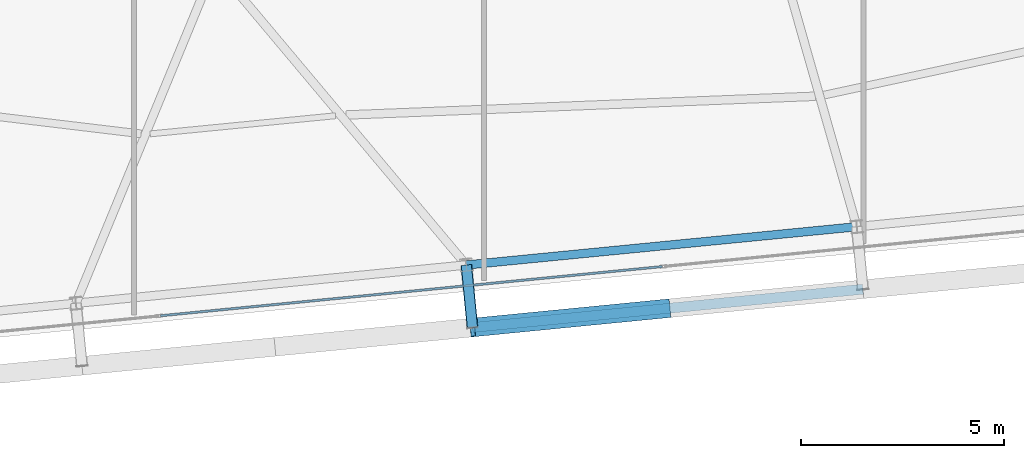
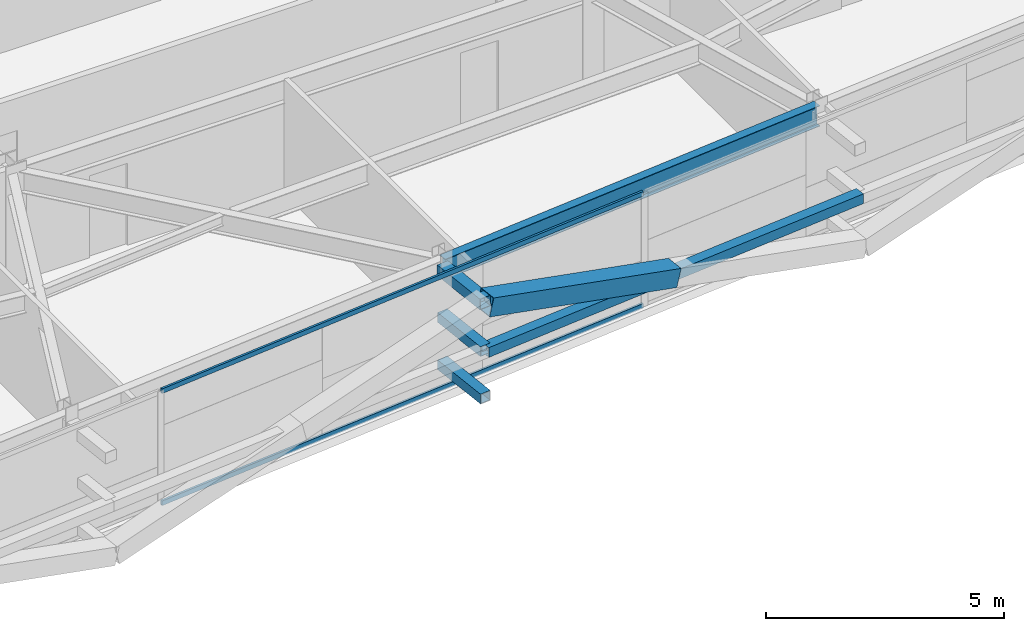
# One storey, part 10 of 47: 7 members, 1 beam, 1 element without a shape of its own.
"""IFC4 building model written with IfcOpenShell, lengths in metres."""

from ifc_helpers import new_model, si_unit, direction, frame, origin, origin_2d, place, context, subcontext, project, spatial, hollow_rectangle, i_section, extrude, source, transform, mapped, material, layer, layer_set, material_profile, profile_set, type_object, element, aggregate, save


model = new_model("IFC4")

# Units and contexts
model_context = context("Model", 3, precision=1e-05, world=origin(), true_north=direction((0.0, 1.0)))
body_context = subcontext(model_context, "Body", "Model", "MODEL_VIEW")
ifc_project = project(units=[si_unit("LENGTHUNIT", "METRE"), si_unit("AREAUNIT", "SQUARE_METRE"), si_unit("VOLUMEUNIT", "CUBIC_METRE"), si_unit("PLANEANGLEUNIT", "RADIAN"), si_unit("MASSUNIT", "GRAM", prefix="KILO")], contexts=[model_context])

# Site, building, storey
site_placement = place(None, origin())
site = spatial("IfcSite", under=ifc_project, at=site_placement, CompositionType="ELEMENT")
building_placement = place(site_placement, origin())
building = spatial("IfcBuilding", under=site, at=building_placement, Name="Taldren Reach Tower", CompositionType="ELEMENT")
storey_placement = place(building_placement, frame((0.0, 0.0, 90.300048828125)))
storey = spatial("IfcBuildingStorey", under=building, at=storey_placement, Name="L27", CompositionType="ELEMENT", Elevation=90.300048828125)

# Beam
ifc_material_1 = material(Name="Steel Gr 350 (350PLUS)", Category="steel")
ifc_material_profile_1 = material_profile(ifc_material_1, i_section(OverallWidth=0.208984375, OverallDepth=0.528076171875, WebThickness=0.009521484375, FlangeThickness=0.01318359375, at=origin_2d()), Name="530UB82.0")
ifc_profile_set_1 = profile_set([ifc_material_profile_1], Name="Steel Gr 350 (350PLUS)")
beam_type = type_object("IfcBeamType", Name="SP-UB530B", PredefinedType="SPANDREL", material=ifc_profile_set_1)
shared_shape_1 = source(origin(), body_context, "Body", "SweptSolid", [
    extrude(i_section(OverallWidth=0.208984375, OverallDepth=0.528076171875, WebThickness=0.009521484375, FlangeThickness=0.01318359375, at=origin_2d()), origin(), (0.0, 0.0, 1.0), 9.679931640625),
])
beam_placement = place(storey_placement, frame((34.20166015625, 1.809326171875, 2.666015625), z_axis=(0.995227612658, 0.097580730699, 0.0), x_axis=(-0.097580730699, 0.995227612658, 0.0)))
element("IfcBeam", 1, at=beam_placement, inside=storey, type_object=beam_type, Name="Perimeter spandrel B2 S3-S4 L27", PredefinedType="SPANDREL", context=body_context, shape_type="MappedRepresentation", body=[
    mapped(shared_shape_1, transform((0.0, 0.0, 0.0), scale=1.0)),
])

# Members
ifc_material_2 = material(Name="Steel Gr 450 (C450L0)", Category="steel")
ifc_material_profile_2 = material_profile(ifc_material_2, hollow_rectangle(XDim=0.27490234375, YDim=0.27490234375, WallThickness=0.00927734375, at=origin_2d()), Name="275x275x9.3SHS")
ifc_profile_set_2 = profile_set([ifc_material_profile_2], Name="Steel Gr 450 (C450L0)")
member_type_1 = type_object("IfcMemberType", Name="MB-TIE273", PredefinedType="STRUT", material=ifc_profile_set_2)
shared_shape_2 = source(origin(), body_context, "Body", "SweptSolid", [
    extrude(hollow_rectangle(XDim=0.27490234375, YDim=0.27490234375, WallThickness=0.00927734375, at=origin_2d()), origin(), (0.0, 0.0, 1.0), 1.550048828125),
])
member_1_placement = place(storey_placement, frame((34.20166015625, 1.809326171875, 2.64990234375), z_axis=(0.097647892962, -0.9952210252, 0.0), x_axis=(0.9952210252, 0.097647892962, 0.0)))
element("IfcMember", 2, at=member_1_placement, inside=storey, type_object=member_type_1, Name="Exoskeleton diaphragm tie strut B2-S3 L27", PredefinedType="STRUT", context=body_context, shape_type="MappedRepresentation", body=[
    mapped(shared_shape_2, transform((0.0, 0.0, 0.0), scale=1.0)),
])
ifc_material_profile_3 = material_profile(ifc_material_2, hollow_rectangle(XDim=0.4599609375, YDim=0.4599609375, WallThickness=0.01611328125, at=origin_2d()), Name="460x460x16.0SHS")
ifc_profile_set_3 = profile_set([ifc_material_profile_3], Name="Steel Gr 450 (C450L0)")
member_type_2 = type_object("IfcMemberType", Name="MB-EXO457", PredefinedType="BRACE", material=ifc_profile_set_3)
shared_shape_3 = source(origin(), body_context, "Body", "SweptSolid", [
    extrude(hollow_rectangle(XDim=0.4599609375, YDim=0.4599609375, WallThickness=0.01611328125, at=origin_2d()), origin(), (0.0, 0.0, 1.0), 4.990234375),
])
member_2_placement = place(storey_placement, frame((39.169921875, 0.739013671875, 1.43505859375), z_axis=(-0.965282554799, -0.094669120301, 0.243448859234), x_axis=(0.097605711627, -0.995225162995, 0.0)))
element("IfcMember", 3, at=member_2_placement, inside=storey, type_object=member_type_2, Name="Exoskeleton Diagrid Brace B2-S3 L27", PredefinedType="BRACE", context=body_context, shape_type="MappedRepresentation", body=[
    mapped(shared_shape_3, transform((0.0, 0.0, 0.0), scale=1.0)),
])
ifc_material_3 = material(Name="Steel Gr 350 (C350L0)", Category="steel")
ifc_material_profile_4 = material_profile(ifc_material_3, hollow_rectangle(XDim=0.25, YDim=0.25, WallThickness=0.010009765625, at=origin_2d()), Name="250x250x10.0SHS")
ifc_profile_set_4 = profile_set([ifc_material_profile_4], Name="Steel Gr 350 (C350L0)")
member_type_3 = type_object("IfcMemberType", Name="MB-POST250", PredefinedType="POST", material=ifc_profile_set_4)
shared_shape_4 = source(origin(), body_context, "Body", "SweptSolid", [
    extrude(hollow_rectangle(XDim=0.25, YDim=0.25, WallThickness=0.010009765625, at=origin_2d()), origin(), (0.0, 0.0, 1.0), 9.679931640625),
])
member_3_placement = place(storey_placement, frame((34.35302734375, 0.2666015625, 1.43505859375), z_axis=(0.995225162995, 0.097605711627, 0.0), x_axis=(-0.097605711627, 0.995225162995, 0.0)))
element("IfcMember", 4, at=member_3_placement, inside=storey, type_object=member_type_3, Name="Exoskeleton mid-height ring chord B2-S3 L27", PredefinedType="POST", context=body_context, shape_type="MappedRepresentation", body=[
    mapped(shared_shape_4, transform((0.0, 0.0, 0.0), scale=1.0)),
])
shared_shape_5 = source(origin(), body_context, "Body", "SweptSolid", [
    extrude(hollow_rectangle(XDim=0.25, YDim=0.25, WallThickness=0.010009765625, at=origin_2d()), origin(), (0.0, 0.0, 1.0), 1.550048828125),
])
for number, where, z_axis, x_axis, name in (
    (5, (34.20166015625, 1.809326171875, 0.219970703125), (0.097647892962, -0.9952210252, 0.0), (0.9952210252, 0.097647892962, 0.0), "Exoskeleton base diaphragm tie strut B2-S3 L27"),
    (6, (34.20166015625, 1.809326171875, 1.43505859375), (0.097647892962, -0.9952210252, 0.0), (0.9952210252, 0.097647892962, 0.0), "Exoskeleton mid-tier diaphragm tie B2-S3 L27"),
):
    element("IfcMember", number, at=place(storey_placement, frame(where, z_axis=z_axis, x_axis=x_axis)), inside=storey, type_object=member_type_3, Name=name, PredefinedType="POST", context=body_context, shape_type="MappedRepresentation", body=[
        mapped(shared_shape_5, transform((0.0, 0.0, 0.0), scale=1.0)),
    ])

# Curtain wall, members
ifc_material_4 = material(Name="Aluminium and Low-E Glass Unitised System", Category="aluminium")
ifc_layer = layer(ifc_material_4, 0.159912109375)
ifc_layer_set = layer_set([ifc_layer], Name="Aluminium and Low-E Glass Unitised System")
curtain_wall_type = type_object("IfcCurtainWallType", Name="CW-SYS-3", PredefinedType="NOTDEFINED", material=ifc_layer_set)
curtain_wall_placement = place(storey_placement, origin())
curtain_wall = element("IfcCurtainWall", 7, at=curtain_wall_placement, inside=storey, type_object=curtain_wall_type, Name="Unitised curtain wall CW-L27-S", PredefinedType="NOTDEFINED")
ifc_material_5 = material(Name="Anodised Aluminium 6063-T6", Category="aluminium")
ifc_material_profile_5 = material_profile(ifc_material_5, hollow_rectangle(XDim=0.054931640625, YDim=0.1201171875, WallThickness=0.0029296875, at=origin_2d()), Name="ALU-120x55x3RHS")
ifc_profile_set_5 = profile_set([ifc_material_profile_5], Name="Anodised Aluminium 6063-T6")
member_type_4 = type_object("IfcMemberType", Name="CW-TRN-135", PredefinedType="USERDEFINED", material=ifc_profile_set_5)
shared_shape_6 = source(origin(), body_context, "Body", "SweptSolid", [
    extrude(hollow_rectangle(XDim=0.054931640625, YDim=0.1201171875, WallThickness=0.0029296875, at=origin_2d()), origin(), (0.0, 0.0, 1.0), 12.43505859375),
])
member_4_placement = place(storey_placement, frame((26.660400390625, 0.557373046875, 0.02734375), z_axis=(0.995227964368, 0.097577143535, 0.0), x_axis=(-0.097577143535, 0.995227964368, 0.0)))
member_4 = element("IfcMember", 8, at=member_4_placement, type_object=member_type_4, Name="CW-3 transom 2.1", ObjectType="TRANSOM", PredefinedType="USERDEFINED", context=body_context, shape_type="MappedRepresentation", body=[
    mapped(shared_shape_6, transform((0.0, 0.0, 0.0), scale=1.0)),
])
member_5_placement = place(storey_placement, frame((26.660400390625, 0.557373046875, 2.90234375), z_axis=(0.995227964368, 0.097577143535, 0.0), x_axis=(-0.097577143535, 0.995227964368, 0.0)))
member_5 = element("IfcMember", 9, at=member_5_placement, type_object=member_type_4, Name="CW-3 transom 2.2", ObjectType="TRANSOM", PredefinedType="USERDEFINED", context=body_context, shape_type="MappedRepresentation", body=[
    mapped(shared_shape_6, transform((0.0, 0.0, 0.0), scale=1.0)),
])
aggregate(curtain_wall, [member_4, member_5])

save(model, "model.ifc")
